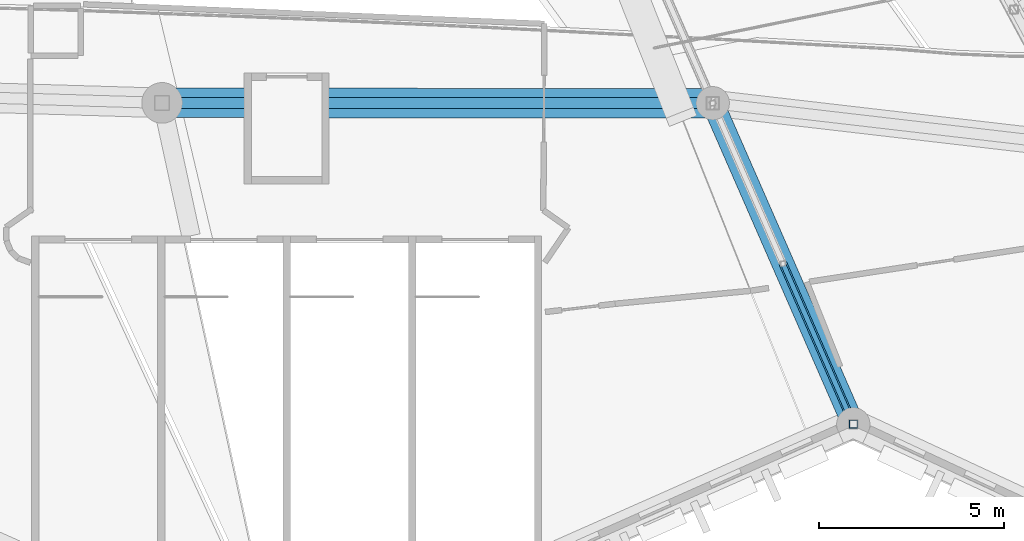
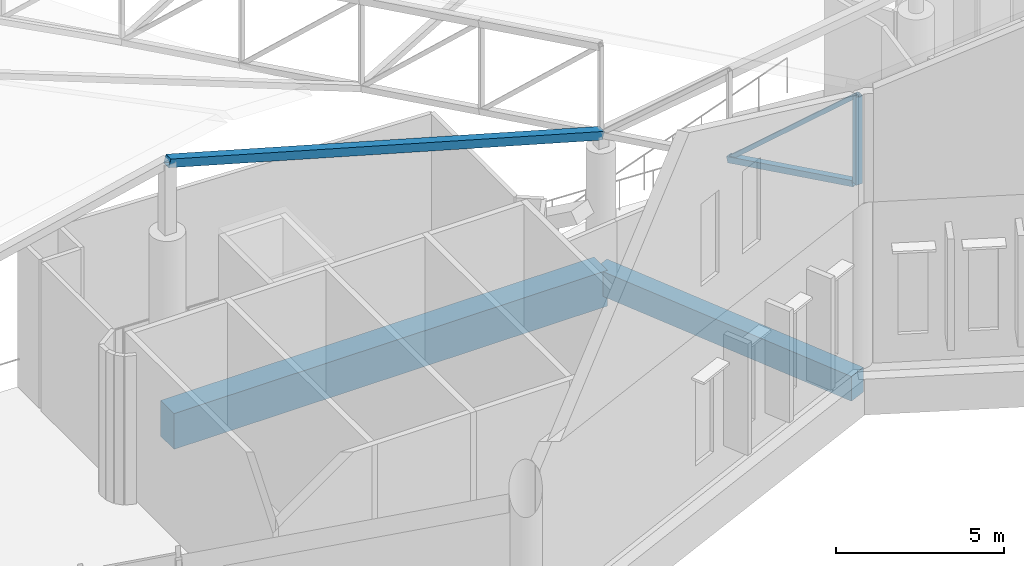
# One storey, part 68 of 344: 4 members, 2 beams.
"""IFC4 building model written with IfcOpenShell, lengths in metres."""

from ifc_helpers import new_model, si_unit, direction, frame, origin, origin_2d, place, context, subcontext, project, spatial, rectangle, hollow_rectangle, extrude, material, material_profile, profile_set, type_object, element, save


model = new_model("IFC4")

# Units and contexts
model_context = context("Model", 3, precision=1e-05, world=origin(), true_north=direction((0.0, 1.0)))
body_context = subcontext(model_context, "Body", "Model", "MODEL_VIEW")
ifc_project = project(units=[si_unit("LENGTHUNIT", "METRE"), si_unit("AREAUNIT", "SQUARE_METRE"), si_unit("VOLUMEUNIT", "CUBIC_METRE"), si_unit("PLANEANGLEUNIT", "RADIAN"), si_unit("MASSUNIT", "GRAM", prefix="KILO")], contexts=[model_context])

# Site, building, storey
site_placement = place(None, origin())
site = spatial("IfcSite", under=ifc_project, at=site_placement, CompositionType="ELEMENT")
building_placement = place(site_placement, origin())
building = spatial("IfcBuilding", under=site, at=building_placement, Name="Meseta Stadium", CompositionType="ELEMENT")
storey_placement = place(building_placement, frame((0.0, 0.0, 24.0)))
storey = spatial("IfcBuildingStorey", under=building, at=storey_placement, Name="L04", CompositionType="ELEMENT", Elevation=24.0)

# Beams
ifc_material_1 = material(Name="Concrete C40/50", Category="concrete")
ifc_material_profile_1 = material_profile(ifc_material_1, rectangle(XDim=0.60009765625, YDim=0.89990234375, at=origin_2d()), Name="RC 600x900")
ifc_profile_set_1 = profile_set([ifc_material_profile_1], Name="Concrete C40/50")
beam_type_1 = type_object("IfcBeamType", Name="RC beam 600x900", PredefinedType="BEAM", material=ifc_profile_set_1)
beam_1_placement = place(storey_placement, frame((34.53076171875, -89.911865234375, -0.85009765625), z_axis=(0.4009417199, -0.91610356251, 0.0), x_axis=(0.91610356251, 0.4009417199, 0.0)))
element("IfcBeam", 1, at=beam_1_placement, inside=storey, type_object=beam_type_1, Name="L04 radial beam frame 49 line P to R", PredefinedType="BEAM", context=body_context, shape_type="SweptSolid", body=[
    extrude(rectangle(XDim=0.60009765625, YDim=0.89990234375, at=origin_2d()), origin(), (0.0, 0.0, 1.0), 9.48388671875),
])
ifc_material_2 = material(Name="Concrete C40/50", Category="concrete")
ifc_material_profile_2 = material_profile(ifc_material_2, rectangle(XDim=0.800048828125, YDim=1.300048828125, at=origin_2d()), Name="RC 800x1300")
ifc_profile_set_2 = profile_set([ifc_material_profile_2], Name="Concrete C40/50")
beam_type_2 = type_object("IfcBeamType", Name="RC beam 800x1300", PredefinedType="BEAM", material=ifc_profile_set_2)
beam_2_placement = place(storey_placement, frame((19.62744140625, -89.90380859375, -1.050048828125), z_axis=(0.999999853879, -0.000540593591, 0.0), x_axis=(0.000540593591, 0.999999853879, 0.0)))
element("IfcBeam", 2, at=beam_2_placement, inside=storey, type_object=beam_type_2, Name="L04 ring beam frame 48 line P", PredefinedType="BEAM", context=body_context, shape_type="SweptSolid", body=[
    extrude(rectangle(XDim=0.800048828125, YDim=1.300048828125, at=origin_2d()), origin(), (0.0, 0.0, 1.0), 14.9033203125),
])

# Members
ifc_material_3 = material(Name="Steel S355", Category="steel")
ifc_material_profile_3 = material_profile(ifc_material_3, hollow_rectangle(XDim=0.139892578125, YDim=0.139892578125, WallThickness=0.0048828125, at=origin_2d()), Name="SHS 140x140x5")
ifc_profile_set_3 = profile_set([ifc_material_profile_3], Name="Steel S355")
member_type_1 = type_object("IfcMemberType", Name="SHS 140x140x5 diagonal", PredefinedType="BRACE", material=ifc_profile_set_3)
member_1_placement = place(storey_placement, frame((36.43212890625, -94.255859375, 5.408203125), z_axis=(0.297933155982, -0.68080423495, 0.669134835621), x_axis=(0.916117155424, 0.400910660295, 0.0)))
element("IfcMember", 3, at=member_1_placement, inside=storey, type_object=member_type_1, Name="ROOF TRUSS RT-49 diagonal", PredefinedType="BRACE", context=body_context, shape_type="SweptSolid", body=[
    extrude(hollow_rectangle(XDim=0.139892578125, YDim=0.139892578125, WallThickness=0.0048828125, at=origin_2d()), origin(), (0.0, 0.0, 1.0), 6.381103515625),
])
ifc_material_4 = material(Name="Steel S355", Category="steel")
ifc_material_profile_4 = material_profile(ifc_material_4, hollow_rectangle(XDim=0.219970703125, YDim=0.219970703125, WallThickness=0.008056640625, at=origin_2d()), Name="SHS 220x220x8")
ifc_profile_set_4 = profile_set([ifc_material_profile_4], Name="Steel S355")
member_type_2 = type_object("IfcMemberType", Name="SHS 220x220x8 bottom chord", PredefinedType="CHORD", material=ifc_profile_set_4)
member_2_placement = place(storey_placement, frame((36.43212890625, -94.255859375, 5.408203125), z_axis=(0.391096186759, -0.893647849682, 0.220084741544), x_axis=(0.9161101781, 0.400926603733, 0.0)))
element("IfcMember", 4, at=member_2_placement, inside=storey, type_object=member_type_2, Name="ROOF TRUSS RT-49 bottom chord", PredefinedType="CHORD", context=body_context, shape_type="SweptSolid", body=[
    extrude(hollow_rectangle(XDim=0.219970703125, YDim=0.219970703125, WallThickness=0.008056640625, at=origin_2d()), origin(), (0.0, 0.0, 1.0), 4.751220703125),
])
ifc_material_5 = material(Name="Steel S355", Category="steel")
ifc_material_profile_5 = material_profile(ifc_material_5, hollow_rectangle(XDim=0.219970703125, YDim=0.219970703125, WallThickness=0.008056640625, at=origin_2d()), Name="SHS 220x220x8")
ifc_profile_set_5 = profile_set([ifc_material_profile_5], Name="Steel S355")
member_type_3 = type_object("IfcMemberType", Name="SHS 220x220x8 rim post", PredefinedType="POST", material=ifc_profile_set_5)
member_3_placement = place(storey_placement, frame((38.333251953125, -98.60009765625, 6.47802734375), z_axis=(0.0, 0.0, 1.0), x_axis=(1.0, 0.0, 0.0)))
element("IfcMember", 5, at=member_3_placement, inside=storey, type_object=member_type_3, Name="ROOF TRUSS RT-49 post", PredefinedType="POST", context=body_context, shape_type="SweptSolid", body=[
    extrude(hollow_rectangle(XDim=0.219970703125, YDim=0.219970703125, WallThickness=0.008056640625, at=origin_2d()), origin(), (0.0, 0.0, 1.0), 3.199951171875),
])
ifc_material_6 = material(Name="Steel S355", Category="steel")
ifc_material_profile_6 = material_profile(ifc_material_6, hollow_rectangle(XDim=0.300048828125, YDim=0.300048828125, WallThickness=0.010009765625, at=origin_2d()), Name="SHS 300x300x10")
ifc_profile_set_6 = profile_set([ifc_material_profile_6], Name="Steel S355")
member_type_4 = type_object("IfcMemberType", Name="SHS 300x300x10 pivot strut", PredefinedType="STRUT", material=ifc_profile_set_6)
member_4_placement = place(storey_placement, frame((19.62744140625, -89.90380859375, 8.54248046875), z_axis=(0.962435285629, -0.000520286423, -0.271510681702), x_axis=(0.000540593591, 0.999999853879, 0.0)))
element("IfcMember", 6, at=member_4_placement, inside=storey, type_object=member_type_4, Name="ROOF PIVOT STRUT RT-48/49", PredefinedType="STRUT", context=body_context, shape_type="SweptSolid", body=[
    extrude(hollow_rectangle(XDim=0.300048828125, YDim=0.300048828125, WallThickness=0.010009765625, at=origin_2d()), origin(), (0.0, 0.0, 1.0), 15.485107421875),
])

save(model, "model.ifc")
